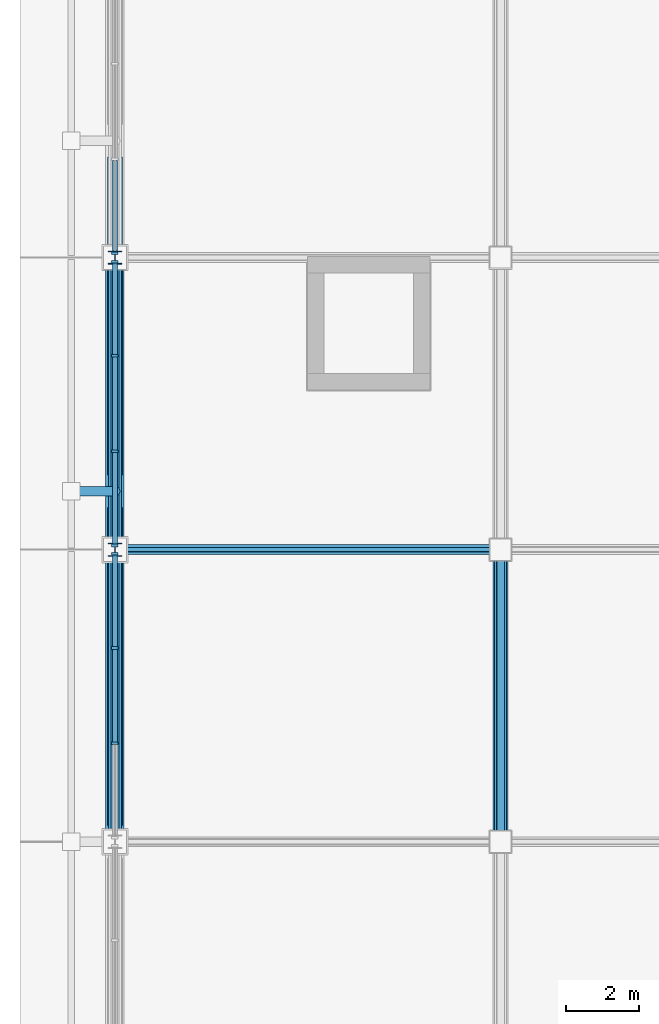
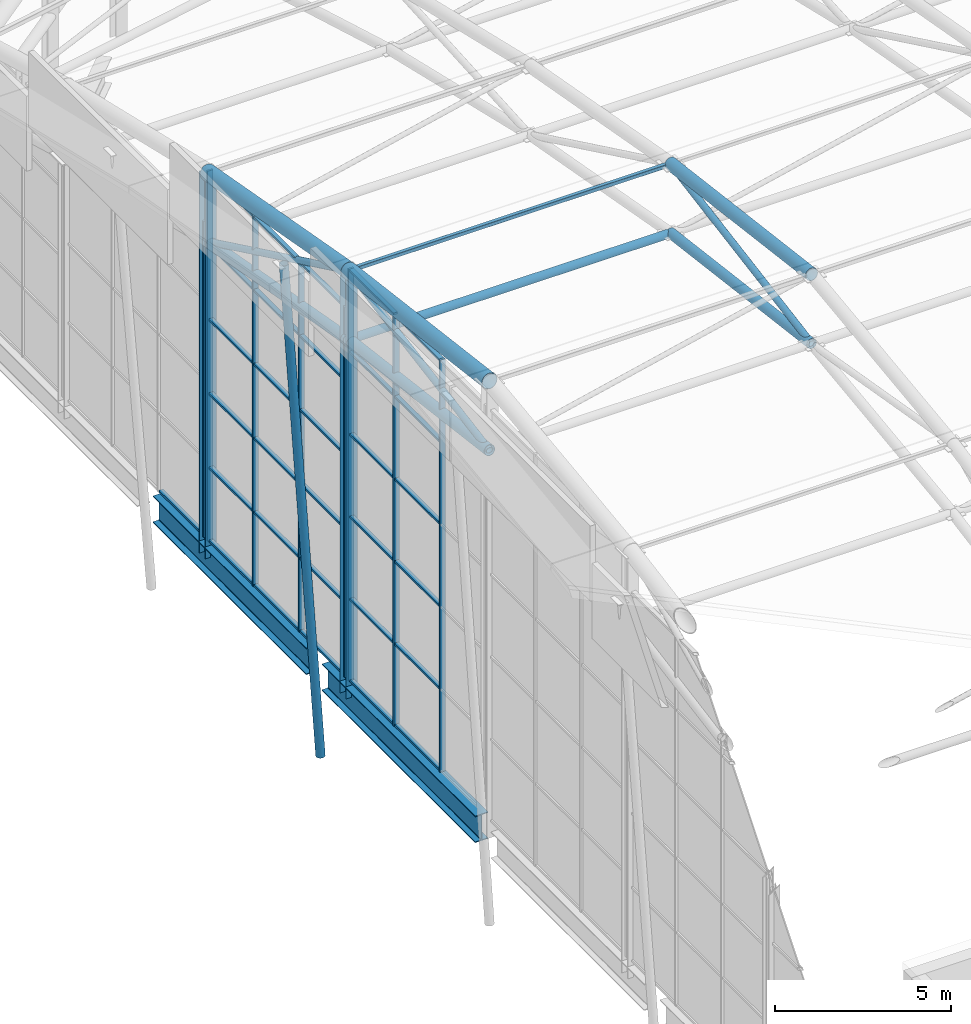
# One storey, part 16 of 42: 53 members, 2 beams, 3 elements without a shape of their own.
"""IFC4 building model written with IfcOpenShell, lengths in metres."""

from ifc_helpers import new_model, si_unit, direction, frame, origin, origin_2d, place, context, subcontext, project, spatial, rectangle, hollow_rectangle, hollow_circle, i_section, extrude, material, layer, layer_set, material_profile, profile_set, type_object, element, aggregate, save


model = new_model("IFC4")

# Units and contexts
model_context = context("Model", 3, precision=1e-05, world=origin(), true_north=direction((0.0, 1.0)))
body_context = subcontext(model_context, "Body", "Model", "MODEL_VIEW")
ifc_project = project(units=[si_unit("LENGTHUNIT", "METRE"), si_unit("AREAUNIT", "SQUARE_METRE"), si_unit("VOLUMEUNIT", "CUBIC_METRE"), si_unit("PLANEANGLEUNIT", "RADIAN"), si_unit("MASSUNIT", "GRAM", prefix="KILO")], contexts=[model_context])

# Site, building, storey
site_placement = place(None, origin())
site = spatial("IfcSite", under=ifc_project, at=site_placement, CompositionType="ELEMENT")
building_placement = place(site_placement, origin())
building = spatial("IfcBuilding", under=site, at=building_placement, Name="Caelomonte Colonnade Arena", CompositionType="ELEMENT")
storey_placement = place(building_placement, frame((0.0, 0.0, 28.199951171875)))
storey = spatial("IfcBuildingStorey", under=building, at=storey_placement, Name="RF", CompositionType="ELEMENT", Elevation=28.199951171875)

# Curtain wall, members
ifc_material_1 = material(Name="Bronze anodised aluminium and low-E glazing", Category="aluminium")
ifc_layer_1 = layer(ifc_material_1, 0.179931640625)
ifc_layer_set_1 = layer_set([ifc_layer_1], Name="Bronze anodised aluminium and low-E glazing")
curtain_wall_type_1 = type_object("IfcCurtainWallType", Name="ENV-CW-CW-TYMP-05", PredefinedType="USERDEFINED", material=ifc_layer_set_1)
curtain_wall_1_placement = place(storey_placement, origin())
curtain_wall_1 = element("IfcCurtainWall", 1, at=curtain_wall_1_placement, inside=storey, type_object=curtain_wall_type_1, Name="Barrel arch W clerestory tympanum curtain wall 5", ObjectType="UNITIZED CURTAIN WALL", PredefinedType="USERDEFINED")
ifc_material_2 = material(Name="Bronze anodised aluminium AA6063-T6", Category="aluminium")
ifc_material_profile_1 = material_profile(ifc_material_2, rectangle(XDim=0.070068359375, YDim=0.179931640625, at=origin_2d()), Name="CWM-70X180")
ifc_profile_set_1 = profile_set([ifc_material_profile_1], Name="Bronze anodised aluminium AA6063-T6")
member_type_1 = type_object("IfcMemberType", Name="ENV-CW-MULL1", PredefinedType="MULLION", material=ifc_profile_set_1)
member_1_placement = place(storey_placement, frame((57.60009765625, 75.0849609375, -0.14990234375), z_axis=(0.0, 0.0, 1.0), x_axis=(0.0, -1.0, 0.0)))
member_1 = element("IfcMember", 2, at=member_1_placement, type_object=member_type_1, Name="CW-TYMP-05 mullion 1", PredefinedType="MULLION", context=body_context, shape_type="SweptSolid", body=[
    extrude(rectangle(XDim=0.070068359375, YDim=0.179931640625, at=origin_2d()), origin(), (0.0, 0.0, 1.0), 14.284912109375),
])
member_2_placement = place(storey_placement, frame((57.60009765625, 72.506591796875, -0.14990234375), z_axis=(0.0, 0.0, 1.0), x_axis=(0.0, -1.0, 0.0)))
member_2 = element("IfcMember", 3, at=member_2_placement, type_object=member_type_1, Name="CW-TYMP-05 mullion 2", PredefinedType="MULLION", context=body_context, shape_type="SweptSolid", body=[
    extrude(rectangle(XDim=0.070068359375, YDim=0.179931640625, at=origin_2d()), origin(), (0.0, 0.0, 1.0), 14.284912109375),
])
member_3_placement = place(storey_placement, frame((57.60009765625, 69.893310546875, -0.14990234375), z_axis=(0.0, 0.0, 1.0), x_axis=(0.0, -1.0, 0.0)))
member_3 = element("IfcMember", 4, at=member_3_placement, type_object=member_type_1, Name="CW-TYMP-05 mullion 3", PredefinedType="MULLION", context=body_context, shape_type="SweptSolid", body=[
    extrude(rectangle(XDim=0.070068359375, YDim=0.179931640625, at=origin_2d()), origin(), (0.0, 0.0, 1.0), 14.284912109375),
])

ifc_layer_2 = layer(ifc_material_1, 0.179931640625)
ifc_layer_set_2 = layer_set([ifc_layer_2], Name="Bronze anodised aluminium and low-E glazing")
curtain_wall_type_2 = type_object("IfcCurtainWallType", Name="ENV-CW-CW-TYMP-06", PredefinedType="USERDEFINED", material=ifc_layer_set_2)
curtain_wall_2_placement = place(storey_placement, origin())
curtain_wall_2 = element("IfcCurtainWall", 5, at=curtain_wall_2_placement, inside=storey, type_object=curtain_wall_type_2, Name="Barrel arch W clerestory tympanum curtain wall 6", ObjectType="UNITIZED CURTAIN WALL", PredefinedType="USERDEFINED")
member_4_placement = place(storey_placement, frame((57.60009765625, 83.0849609375, -0.14990234375), z_axis=(0.0, 0.0, 1.0), x_axis=(0.0, -1.0, 0.0)))
member_4 = element("IfcMember", 6, at=member_4_placement, type_object=member_type_1, Name="CW-TYMP-06 mullion 1", PredefinedType="MULLION", context=body_context, shape_type="SweptSolid", body=[
    extrude(rectangle(XDim=0.070068359375, YDim=0.179931640625, at=origin_2d()), origin(), (0.0, 0.0, 1.0), 12.8359375),
])
member_5_placement = place(storey_placement, frame((57.60009765625, 80.506591796875, -0.14990234375), z_axis=(0.0, 0.0, 1.0), x_axis=(0.0, -1.0, 0.0)))
member_5 = element("IfcMember", 7, at=member_5_placement, type_object=member_type_1, Name="CW-TYMP-06 mullion 2", PredefinedType="MULLION", context=body_context, shape_type="SweptSolid", body=[
    extrude(rectangle(XDim=0.070068359375, YDim=0.179931640625, at=origin_2d()), origin(), (0.0, 0.0, 1.0), 12.8359375),
])
member_6_placement = place(storey_placement, frame((57.60009765625, 77.893310546875, -0.14990234375), z_axis=(0.0, 0.0, 1.0), x_axis=(0.0, -1.0, 0.0)))
member_6 = element("IfcMember", 8, at=member_6_placement, type_object=member_type_1, Name="CW-TYMP-06 mullion 3", PredefinedType="MULLION", context=body_context, shape_type="SweptSolid", body=[
    extrude(rectangle(XDim=0.070068359375, YDim=0.179931640625, at=origin_2d()), origin(), (0.0, 0.0, 1.0), 12.8359375),
])
member_7_placement = place(storey_placement, frame((57.60009765625, 75.31494140625, -0.14990234375), z_axis=(0.0, 0.0, 1.0), x_axis=(0.0, -1.0, 0.0)))
member_7 = element("IfcMember", 9, at=member_7_placement, type_object=member_type_1, Name="CW-TYMP-06 mullion 4", PredefinedType="MULLION", context=body_context, shape_type="SweptSolid", body=[
    extrude(rectangle(XDim=0.070068359375, YDim=0.179931640625, at=origin_2d()), origin(), (0.0, 0.0, 1.0), 12.8359375),
])

# Curtain wall, member
ifc_layer_3 = layer(ifc_material_1, 0.179931640625)
ifc_layer_set_3 = layer_set([ifc_layer_3], Name="Bronze anodised aluminium and low-E glazing")
curtain_wall_type_3 = type_object("IfcCurtainWallType", Name="ENV-CW-CW-TYMP-07", PredefinedType="USERDEFINED", material=ifc_layer_set_3)
curtain_wall_3_placement = place(storey_placement, origin())
curtain_wall_3 = element("IfcCurtainWall", 10, at=curtain_wall_3_placement, inside=storey, type_object=curtain_wall_type_3, Name="Barrel arch W clerestory tympanum curtain wall 7", ObjectType="UNITIZED CURTAIN WALL", PredefinedType="USERDEFINED")
member_8_placement = place(storey_placement, frame((57.60009765625, 83.31494140625, -0.14990234375), z_axis=(0.0, 0.0, 1.0), x_axis=(0.0, -1.0, 0.0)))
member_8 = element("IfcMember", 11, at=member_8_placement, type_object=member_type_1, Name="CW-TYMP-07 mullion 4", PredefinedType="MULLION", context=body_context, shape_type="SweptSolid", body=[
    extrude(rectangle(XDim=0.070068359375, YDim=0.179931640625, at=origin_2d()), origin(), (0.0, 0.0, 1.0), 10.952880859375),
])

# Member
ifc_material_profile_2 = material_profile(ifc_material_2, rectangle(XDim=0.070068359375, YDim=0.139892578125, at=origin_2d()), Name="CWT-70X140")
ifc_profile_set_2 = profile_set([ifc_material_profile_2], Name="Bronze anodised aluminium AA6063-T6")
member_type_2 = type_object("IfcMemberType", Name="ENV-CW-TRAN1", PredefinedType="USERDEFINED", material=ifc_profile_set_2)
member_9_placement = place(storey_placement, frame((57.60009765625, 75.050048828125, -0.114990234375), z_axis=(0.0, -1.0, 0.0), x_axis=(0.0, 0.0, 1.0)))
member_9 = element("IfcMember", 12, at=member_9_placement, type_object=member_type_2, Name="CW-TYMP-05 transom 1.1", ObjectType="TRANSOM", PredefinedType="USERDEFINED", context=body_context, shape_type="SweptSolid", body=[
    extrude(rectangle(XDim=0.070068359375, YDim=0.139892578125, at=origin_2d()), origin(), (0.0, 0.0, 1.0), 2.50830078125),
])

member_10_placement = place(storey_placement, frame((57.60009765625, 75.050048828125, 2.70703125), z_axis=(0.0, -1.0, 0.0), x_axis=(0.0, 0.0, 1.0)))
member_10 = element("IfcMember", 13, at=member_10_placement, type_object=member_type_2, Name="CW-TYMP-05 transom 1.2", ObjectType="TRANSOM", PredefinedType="USERDEFINED", context=body_context, shape_type="SweptSolid", body=[
    extrude(rectangle(XDim=0.070068359375, YDim=0.139892578125, at=origin_2d()), origin(), (0.0, 0.0, 1.0), 2.50830078125),
])

member_11_placement = place(storey_placement, frame((57.60009765625, 75.050048828125, 5.56396484375), z_axis=(0.0, -1.0, 0.0), x_axis=(0.0, 0.0, 1.0)))
member_11 = element("IfcMember", 14, at=member_11_placement, type_object=member_type_2, Name="CW-TYMP-05 transom 1.3", ObjectType="TRANSOM", PredefinedType="USERDEFINED", context=body_context, shape_type="SweptSolid", body=[
    extrude(rectangle(XDim=0.070068359375, YDim=0.139892578125, at=origin_2d()), origin(), (0.0, 0.0, 1.0), 2.50830078125),
])

member_12_placement = place(storey_placement, frame((57.60009765625, 75.050048828125, 8.421142578125), z_axis=(0.0, -1.0, 0.0), x_axis=(0.0, 0.0, 1.0)))
member_12 = element("IfcMember", 15, at=member_12_placement, type_object=member_type_2, Name="CW-TYMP-05 transom 1.4", ObjectType="TRANSOM", PredefinedType="USERDEFINED", context=body_context, shape_type="SweptSolid", body=[
    extrude(rectangle(XDim=0.070068359375, YDim=0.139892578125, at=origin_2d()), origin(), (0.0, 0.0, 1.0), 2.50830078125),
])

member_13_placement = place(storey_placement, frame((57.60009765625, 75.050048828125, 11.278076171875), z_axis=(0.0, -1.0, 0.0), x_axis=(0.0, 0.0, 1.0)))
member_13 = element("IfcMember", 16, at=member_13_placement, type_object=member_type_2, Name="CW-TYMP-05 transom 1.5", ObjectType="TRANSOM", PredefinedType="USERDEFINED", context=body_context, shape_type="SweptSolid", body=[
    extrude(rectangle(XDim=0.070068359375, YDim=0.139892578125, at=origin_2d()), origin(), (0.0, 0.0, 1.0), 2.50830078125),
])

member_14_placement = place(storey_placement, frame((57.60009765625, 75.050048828125, 14.10009765625), z_axis=(0.0, -1.0, 0.0), x_axis=(0.0, 0.0, 1.0)))
member_14 = element("IfcMember", 17, at=member_14_placement, type_object=member_type_2, Name="CW-TYMP-05 transom 1.6", ObjectType="TRANSOM", PredefinedType="USERDEFINED", context=body_context, shape_type="SweptSolid", body=[
    extrude(rectangle(XDim=0.070068359375, YDim=0.139892578125, at=origin_2d()), origin(), (0.0, 0.0, 1.0), 2.50830078125),
])

member_15_placement = place(storey_placement, frame((57.60009765625, 72.4716796875, -0.114990234375), z_axis=(0.0, -1.0, 0.0), x_axis=(0.0, 0.0, 1.0)))
member_15 = element("IfcMember", 18, at=member_15_placement, type_object=member_type_2, Name="CW-TYMP-05 transom 2.1", ObjectType="TRANSOM", PredefinedType="USERDEFINED", context=body_context, shape_type="SweptSolid", body=[
    extrude(rectangle(XDim=0.070068359375, YDim=0.139892578125, at=origin_2d()), origin(), (0.0, 0.0, 1.0), 2.54345703125),
])

member_16_placement = place(storey_placement, frame((57.60009765625, 72.4716796875, 2.70703125), z_axis=(0.0, -1.0, 0.0), x_axis=(0.0, 0.0, 1.0)))
member_16 = element("IfcMember", 19, at=member_16_placement, type_object=member_type_2, Name="CW-TYMP-05 transom 2.2", ObjectType="TRANSOM", PredefinedType="USERDEFINED", context=body_context, shape_type="SweptSolid", body=[
    extrude(rectangle(XDim=0.070068359375, YDim=0.139892578125, at=origin_2d()), origin(), (0.0, 0.0, 1.0), 2.54345703125),
])

member_17_placement = place(storey_placement, frame((57.60009765625, 72.4716796875, 5.56396484375), z_axis=(0.0, -1.0, 0.0), x_axis=(0.0, 0.0, 1.0)))
member_17 = element("IfcMember", 20, at=member_17_placement, type_object=member_type_2, Name="CW-TYMP-05 transom 2.3", ObjectType="TRANSOM", PredefinedType="USERDEFINED", context=body_context, shape_type="SweptSolid", body=[
    extrude(rectangle(XDim=0.070068359375, YDim=0.139892578125, at=origin_2d()), origin(), (0.0, 0.0, 1.0), 2.54345703125),
])

member_18_placement = place(storey_placement, frame((57.60009765625, 72.4716796875, 8.421142578125), z_axis=(0.0, -1.0, 0.0), x_axis=(0.0, 0.0, 1.0)))
member_18 = element("IfcMember", 21, at=member_18_placement, type_object=member_type_2, Name="CW-TYMP-05 transom 2.4", ObjectType="TRANSOM", PredefinedType="USERDEFINED", context=body_context, shape_type="SweptSolid", body=[
    extrude(rectangle(XDim=0.070068359375, YDim=0.139892578125, at=origin_2d()), origin(), (0.0, 0.0, 1.0), 2.54345703125),
])

member_19_placement = place(storey_placement, frame((57.60009765625, 72.4716796875, 11.278076171875), z_axis=(0.0, -1.0, 0.0), x_axis=(0.0, 0.0, 1.0)))
member_19 = element("IfcMember", 22, at=member_19_placement, type_object=member_type_2, Name="CW-TYMP-05 transom 2.5", ObjectType="TRANSOM", PredefinedType="USERDEFINED", context=body_context, shape_type="SweptSolid", body=[
    extrude(rectangle(XDim=0.070068359375, YDim=0.139892578125, at=origin_2d()), origin(), (0.0, 0.0, 1.0), 2.54345703125),
])

member_20_placement = place(storey_placement, frame((57.60009765625, 72.4716796875, 14.10009765625), z_axis=(0.0, -1.0, 0.0), x_axis=(0.0, 0.0, 1.0)))
member_20 = element("IfcMember", 23, at=member_20_placement, type_object=member_type_2, Name="CW-TYMP-05 transom 2.6", ObjectType="TRANSOM", PredefinedType="USERDEFINED", context=body_context, shape_type="SweptSolid", body=[
    extrude(rectangle(XDim=0.070068359375, YDim=0.139892578125, at=origin_2d()), origin(), (0.0, 0.0, 1.0), 2.54345703125),
])

aggregate(curtain_wall_1, [member_1, member_2, member_3, member_9, member_10, member_11, member_12, member_13, member_14, member_15, member_16, member_17, member_18, member_19, member_20])

member_21_placement = place(storey_placement, frame((57.60009765625, 83.050048828125, -0.114990234375), z_axis=(0.0, -1.0, 0.0), x_axis=(0.0, 0.0, 1.0)))
member_21 = element("IfcMember", 24, at=member_21_placement, type_object=member_type_2, Name="CW-TYMP-06 transom 1.1", ObjectType="TRANSOM", PredefinedType="USERDEFINED", context=body_context, shape_type="SweptSolid", body=[
    extrude(rectangle(XDim=0.070068359375, YDim=0.139892578125, at=origin_2d()), origin(), (0.0, 0.0, 1.0), 2.50830078125),
])

member_22_placement = place(storey_placement, frame((57.60009765625, 83.050048828125, 2.417236328125), z_axis=(0.0, -1.0, 0.0), x_axis=(0.0, 0.0, 1.0)))
member_22 = element("IfcMember", 25, at=member_22_placement, type_object=member_type_2, Name="CW-TYMP-06 transom 1.2", ObjectType="TRANSOM", PredefinedType="USERDEFINED", context=body_context, shape_type="SweptSolid", body=[
    extrude(rectangle(XDim=0.070068359375, YDim=0.139892578125, at=origin_2d()), origin(), (0.0, 0.0, 1.0), 2.50830078125),
])

member_23_placement = place(storey_placement, frame((57.60009765625, 83.050048828125, 4.984375), z_axis=(0.0, -1.0, 0.0), x_axis=(0.0, 0.0, 1.0)))
member_23 = element("IfcMember", 26, at=member_23_placement, type_object=member_type_2, Name="CW-TYMP-06 transom 1.3", ObjectType="TRANSOM", PredefinedType="USERDEFINED", context=body_context, shape_type="SweptSolid", body=[
    extrude(rectangle(XDim=0.070068359375, YDim=0.139892578125, at=origin_2d()), origin(), (0.0, 0.0, 1.0), 2.50830078125),
])

member_24_placement = place(storey_placement, frame((57.60009765625, 83.050048828125, 7.5517578125), z_axis=(0.0, -1.0, 0.0), x_axis=(0.0, 0.0, 1.0)))
member_24 = element("IfcMember", 27, at=member_24_placement, type_object=member_type_2, Name="CW-TYMP-06 transom 1.4", ObjectType="TRANSOM", PredefinedType="USERDEFINED", context=body_context, shape_type="SweptSolid", body=[
    extrude(rectangle(XDim=0.070068359375, YDim=0.139892578125, at=origin_2d()), origin(), (0.0, 0.0, 1.0), 2.50830078125),
])

member_25_placement = place(storey_placement, frame((57.60009765625, 83.050048828125, 10.118896484375), z_axis=(0.0, -1.0, 0.0), x_axis=(0.0, 0.0, 1.0)))
member_25 = element("IfcMember", 28, at=member_25_placement, type_object=member_type_2, Name="CW-TYMP-06 transom 1.5", ObjectType="TRANSOM", PredefinedType="USERDEFINED", context=body_context, shape_type="SweptSolid", body=[
    extrude(rectangle(XDim=0.070068359375, YDim=0.139892578125, at=origin_2d()), origin(), (0.0, 0.0, 1.0), 2.50830078125),
])

member_26_placement = place(storey_placement, frame((57.60009765625, 83.050048828125, 12.651123046875), z_axis=(0.0, -1.0, 0.0), x_axis=(0.0, 0.0, 1.0)))
member_26 = element("IfcMember", 29, at=member_26_placement, type_object=member_type_2, Name="CW-TYMP-06 transom 1.6", ObjectType="TRANSOM", PredefinedType="USERDEFINED", context=body_context, shape_type="SweptSolid", body=[
    extrude(rectangle(XDim=0.070068359375, YDim=0.139892578125, at=origin_2d()), origin(), (0.0, 0.0, 1.0), 2.50830078125),
])

member_27_placement = place(storey_placement, frame((57.60009765625, 80.4716796875, -0.114990234375), z_axis=(0.0, -1.0, 0.0), x_axis=(0.0, 0.0, 1.0)))
member_27 = element("IfcMember", 30, at=member_27_placement, type_object=member_type_2, Name="CW-TYMP-06 transom 2.1", ObjectType="TRANSOM", PredefinedType="USERDEFINED", context=body_context, shape_type="SweptSolid", body=[
    extrude(rectangle(XDim=0.070068359375, YDim=0.139892578125, at=origin_2d()), origin(), (0.0, 0.0, 1.0), 2.54345703125),
])

member_28_placement = place(storey_placement, frame((57.60009765625, 80.4716796875, 2.417236328125), z_axis=(0.0, -1.0, 0.0), x_axis=(0.0, 0.0, 1.0)))
member_28 = element("IfcMember", 31, at=member_28_placement, type_object=member_type_2, Name="CW-TYMP-06 transom 2.2", ObjectType="TRANSOM", PredefinedType="USERDEFINED", context=body_context, shape_type="SweptSolid", body=[
    extrude(rectangle(XDim=0.070068359375, YDim=0.139892578125, at=origin_2d()), origin(), (0.0, 0.0, 1.0), 2.54345703125),
])

member_29_placement = place(storey_placement, frame((57.60009765625, 80.4716796875, 4.984375), z_axis=(0.0, -1.0, 0.0), x_axis=(0.0, 0.0, 1.0)))
member_29 = element("IfcMember", 32, at=member_29_placement, type_object=member_type_2, Name="CW-TYMP-06 transom 2.3", ObjectType="TRANSOM", PredefinedType="USERDEFINED", context=body_context, shape_type="SweptSolid", body=[
    extrude(rectangle(XDim=0.070068359375, YDim=0.139892578125, at=origin_2d()), origin(), (0.0, 0.0, 1.0), 2.54345703125),
])

member_30_placement = place(storey_placement, frame((57.60009765625, 80.4716796875, 7.5517578125), z_axis=(0.0, -1.0, 0.0), x_axis=(0.0, 0.0, 1.0)))
member_30 = element("IfcMember", 33, at=member_30_placement, type_object=member_type_2, Name="CW-TYMP-06 transom 2.4", ObjectType="TRANSOM", PredefinedType="USERDEFINED", context=body_context, shape_type="SweptSolid", body=[
    extrude(rectangle(XDim=0.070068359375, YDim=0.139892578125, at=origin_2d()), origin(), (0.0, 0.0, 1.0), 2.54345703125),
])

member_31_placement = place(storey_placement, frame((57.60009765625, 80.4716796875, 10.118896484375), z_axis=(0.0, -1.0, 0.0), x_axis=(0.0, 0.0, 1.0)))
member_31 = element("IfcMember", 34, at=member_31_placement, type_object=member_type_2, Name="CW-TYMP-06 transom 2.5", ObjectType="TRANSOM", PredefinedType="USERDEFINED", context=body_context, shape_type="SweptSolid", body=[
    extrude(rectangle(XDim=0.070068359375, YDim=0.139892578125, at=origin_2d()), origin(), (0.0, 0.0, 1.0), 2.54345703125),
])

member_32_placement = place(storey_placement, frame((57.60009765625, 80.4716796875, 12.651123046875), z_axis=(0.0, -1.0, 0.0), x_axis=(0.0, 0.0, 1.0)))
member_32 = element("IfcMember", 35, at=member_32_placement, type_object=member_type_2, Name="CW-TYMP-06 transom 2.6", ObjectType="TRANSOM", PredefinedType="USERDEFINED", context=body_context, shape_type="SweptSolid", body=[
    extrude(rectangle(XDim=0.070068359375, YDim=0.139892578125, at=origin_2d()), origin(), (0.0, 0.0, 1.0), 2.54345703125),
])

member_33_placement = place(storey_placement, frame((57.60009765625, 77.8583984375, -0.114990234375), z_axis=(0.0, -1.0, 0.0), x_axis=(0.0, 0.0, 1.0)))
member_33 = element("IfcMember", 36, at=member_33_placement, type_object=member_type_2, Name="CW-TYMP-06 transom 3.1", ObjectType="TRANSOM", PredefinedType="USERDEFINED", context=body_context, shape_type="SweptSolid", body=[
    extrude(rectangle(XDim=0.070068359375, YDim=0.139892578125, at=origin_2d()), origin(), (0.0, 0.0, 1.0), 2.50830078125),
])

member_34_placement = place(storey_placement, frame((57.60009765625, 77.8583984375, 2.417236328125), z_axis=(0.0, -1.0, 0.0), x_axis=(0.0, 0.0, 1.0)))
member_34 = element("IfcMember", 37, at=member_34_placement, type_object=member_type_2, Name="CW-TYMP-06 transom 3.2", ObjectType="TRANSOM", PredefinedType="USERDEFINED", context=body_context, shape_type="SweptSolid", body=[
    extrude(rectangle(XDim=0.070068359375, YDim=0.139892578125, at=origin_2d()), origin(), (0.0, 0.0, 1.0), 2.50830078125),
])

member_35_placement = place(storey_placement, frame((57.60009765625, 77.8583984375, 4.984375), z_axis=(0.0, -1.0, 0.0), x_axis=(0.0, 0.0, 1.0)))
member_35 = element("IfcMember", 38, at=member_35_placement, type_object=member_type_2, Name="CW-TYMP-06 transom 3.3", ObjectType="TRANSOM", PredefinedType="USERDEFINED", context=body_context, shape_type="SweptSolid", body=[
    extrude(rectangle(XDim=0.070068359375, YDim=0.139892578125, at=origin_2d()), origin(), (0.0, 0.0, 1.0), 2.50830078125),
])

member_36_placement = place(storey_placement, frame((57.60009765625, 77.8583984375, 7.5517578125), z_axis=(0.0, -1.0, 0.0), x_axis=(0.0, 0.0, 1.0)))
member_36 = element("IfcMember", 39, at=member_36_placement, type_object=member_type_2, Name="CW-TYMP-06 transom 3.4", ObjectType="TRANSOM", PredefinedType="USERDEFINED", context=body_context, shape_type="SweptSolid", body=[
    extrude(rectangle(XDim=0.070068359375, YDim=0.139892578125, at=origin_2d()), origin(), (0.0, 0.0, 1.0), 2.50830078125),
])

member_37_placement = place(storey_placement, frame((57.60009765625, 77.8583984375, 10.118896484375), z_axis=(0.0, -1.0, 0.0), x_axis=(0.0, 0.0, 1.0)))
member_37 = element("IfcMember", 40, at=member_37_placement, type_object=member_type_2, Name="CW-TYMP-06 transom 3.5", ObjectType="TRANSOM", PredefinedType="USERDEFINED", context=body_context, shape_type="SweptSolid", body=[
    extrude(rectangle(XDim=0.070068359375, YDim=0.139892578125, at=origin_2d()), origin(), (0.0, 0.0, 1.0), 2.50830078125),
])

member_38_placement = place(storey_placement, frame((57.60009765625, 77.8583984375, 12.651123046875), z_axis=(0.0, -1.0, 0.0), x_axis=(0.0, 0.0, 1.0)))
member_38 = element("IfcMember", 41, at=member_38_placement, type_object=member_type_2, Name="CW-TYMP-06 transom 3.6", ObjectType="TRANSOM", PredefinedType="USERDEFINED", context=body_context, shape_type="SweptSolid", body=[
    extrude(rectangle(XDim=0.070068359375, YDim=0.139892578125, at=origin_2d()), origin(), (0.0, 0.0, 1.0), 2.50830078125),
])

aggregate(curtain_wall_2, [member_4, member_5, member_6, member_7, member_21, member_22, member_23, member_24, member_25, member_26, member_27, member_28, member_29, member_30, member_31, member_32, member_33, member_34, member_35, member_36, member_37, member_38])

member_39_placement = place(storey_placement, frame((57.60009765625, 85.8583984375, -0.114990234375), z_axis=(0.0, -1.0, 0.0), x_axis=(0.0, 0.0, 1.0)))
member_39 = element("IfcMember", 42, at=member_39_placement, type_object=member_type_2, Name="CW-TYMP-07 transom 3.1", ObjectType="TRANSOM", PredefinedType="USERDEFINED", context=body_context, shape_type="SweptSolid", body=[
    extrude(rectangle(XDim=0.070068359375, YDim=0.139892578125, at=origin_2d()), origin(), (0.0, 0.0, 1.0), 2.50830078125),
])

aggregate(curtain_wall_3, [member_8, member_39])

# Beams
ifc_material_3 = material(Name="Wide-flange steel ASTM A992 Grade 50", Category="steel")
ifc_material_profile_3 = material_profile(ifc_material_3, i_section(OverallWidth=0.418212890625, OverallDepth=0.927001953125, WebThickness=0.019287109375, FlangeThickness=0.031982421875, FilletRadius=0.024169921875, at=origin_2d()), Name="W36X231")
ifc_profile_set_3 = profile_set([ifc_material_profile_3], Name="Wide-flange steel ASTM A992 Grade 50")
beam_type = type_object("IfcBeamType", Name="STR-BM-EAVES1", PredefinedType="SPANDREL", material=ifc_profile_set_3)
beam_1_placement = place(storey_placement, frame((57.60009765625, 67.649169921875, -0.743408203125), z_axis=(0.0, 1.0, 0.0), x_axis=(-1.0, 0.0, 0.0)))
element("IfcBeam", 43, at=beam_1_placement, inside=storey, type_object=beam_type, Name="RF girder BMY-RF-0576-0672", PredefinedType="SPANDREL", context=body_context, shape_type="SweptSolid", body=[
    extrude(i_section(OverallWidth=0.418212890625, OverallDepth=0.927001953125, WebThickness=0.019287109375, FlangeThickness=0.031982421875, FilletRadius=0.024169921875, at=origin_2d()), origin(), (0.0, 0.0, 1.0), 8.70166015625),
])
beam_2_placement = place(storey_placement, frame((57.60009765625, 77.249267578125, -0.743408203125), z_axis=(0.0, 1.0, 0.0), x_axis=(-1.0, 0.0, 0.0)))
element("IfcBeam", 44, at=beam_2_placement, inside=storey, type_object=beam_type, Name="RF girder BMY-RF-0576-0768", PredefinedType="SPANDREL", context=body_context, shape_type="SweptSolid", body=[
    extrude(i_section(OverallWidth=0.418212890625, OverallDepth=0.927001953125, WebThickness=0.019287109375, FlangeThickness=0.031982421875, FilletRadius=0.024169921875, at=origin_2d()), origin(), (0.0, 0.0, 1.0), 8.701416015625),
])

# Members
ifc_material_profile_4 = material_profile(ifc_material_3, i_section(OverallWidth=0.368896484375, OverallDepth=0.356201171875, WebThickness=0.01123046875, FlangeThickness=0.01806640625, FilletRadius=0.01513671875, at=origin_2d()), Name="W14X90")
ifc_profile_set_4 = profile_set([ifc_material_profile_4], Name="Wide-flange steel ASTM A992 Grade 50")
member_type_3 = type_object("IfcMemberType", Name="STR-CAT-STR", PredefinedType="STRUT", material=ifc_profile_set_4)
member_40_placement = place(storey_placement, frame((57.60009765625, 75.199951171875, -0.699951171875), z_axis=(0.0, 0.0, 1.0), x_axis=(1.0, 0.0, 0.0)))
element("IfcMember", 45, at=member_40_placement, inside=storey, type_object=member_type_3, Name="Roof truss eaves bearing post 0-7", PredefinedType="STRUT", context=body_context, shape_type="SweptSolid", body=[
    extrude(i_section(OverallWidth=0.368896484375, OverallDepth=0.356201171875, WebThickness=0.01123046875, FlangeThickness=0.01806640625, FilletRadius=0.01513671875, at=origin_2d()), origin(), (0.0, 0.0, 1.0), 14.68505859375),
])
member_41_placement = place(storey_placement, frame((57.60009765625, 83.199951171875, -0.699951171875), z_axis=(0.0, 0.0, 1.0), x_axis=(1.0, 0.0, 0.0)))
element("IfcMember", 46, at=member_41_placement, inside=storey, type_object=member_type_3, Name="Roof truss eaves bearing post 0-8", PredefinedType="STRUT", context=body_context, shape_type="SweptSolid", body=[
    extrude(i_section(OverallWidth=0.368896484375, OverallDepth=0.356201171875, WebThickness=0.01123046875, FlangeThickness=0.01806640625, FilletRadius=0.01513671875, at=origin_2d()), origin(), (0.0, 0.0, 1.0), 13.236083984375),
])
ifc_material_4 = material(Name="Steel ASTM A500 Grade C", Category="steel")
ifc_material_profile_5 = material_profile(ifc_material_4, hollow_circle(Radius=0.177734375, WallThickness=0.0126953125, at=origin_2d()), Name="CHS355.6X12.7")
ifc_profile_set_5 = profile_set([ifc_material_profile_5], Name="Steel ASTM A500 Grade C")
member_type_4 = type_object("IfcMemberType", Name="STR-SF-BC1", PredefinedType="CHORD", material=ifc_profile_set_5)
member_42_placement = place(storey_placement, frame((57.60009765625, 67.201904296875, 12.599853515625), z_axis=(0.0, 0.992048803131, -0.125853773113), x_axis=(-1.0, 0.0, 0.0)))
element("IfcMember", 47, at=member_42_placement, inside=storey, type_object=member_type_4, Name="Arched roof truss bottom chord 0-6", PredefinedType="CHORD", context=body_context, shape_type="SweptSolid", body=[
    extrude(hollow_circle(Radius=0.177734375, WallThickness=0.0126953125, at=origin_2d()), origin(), (0.0, 0.0, 1.0), 8.060302734375),
])
member_43_placement = place(storey_placement, frame((57.60009765625, 75.201904296875, 11.584716796875), z_axis=(0.0, 0.983990820662, -0.178219148393), x_axis=(-1.0, 0.0, 0.0)))
element("IfcMember", 48, at=member_43_placement, inside=storey, type_object=member_type_4, Name="Arched roof truss bottom chord 0-7", PredefinedType="CHORD", context=body_context, shape_type="SweptSolid", body=[
    extrude(hollow_circle(Radius=0.177734375, WallThickness=0.0126953125, at=origin_2d()), origin(), (0.0, 0.0, 1.0), 8.126220703125),
])
ifc_material_profile_6 = material_profile(ifc_material_4, hollow_circle(Radius=0.161865234375, WallThickness=0.010009765625, at=origin_2d()), Name="CHS323.9X10.0")
ifc_profile_set_6 = profile_set([ifc_material_profile_6], Name="Steel ASTM A500 Grade C")
member_type_5 = type_object("IfcMemberType", Name="STR-SF-BC2", PredefinedType="CHORD", material=ifc_profile_set_6)
member_44_placement = place(storey_placement, frame((68.159912109375, 67.201904296875, 12.599853515625), z_axis=(0.0, 0.992048803131, -0.125853773113), x_axis=(-1.0, 0.0, 0.0)))
element("IfcMember", 49, at=member_44_placement, inside=storey, type_object=member_type_5, Name="Arched roof truss bottom chord 1-6", PredefinedType="CHORD", context=body_context, shape_type="SweptSolid", body=[
    extrude(hollow_circle(Radius=0.161865234375, WallThickness=0.010009765625, at=origin_2d()), origin(), (0.0, 0.0, 1.0), 8.060302734375),
])
ifc_material_profile_7 = material_profile(ifc_material_4, hollow_rectangle(XDim=0.126953125, YDim=0.126953125, WallThickness=0.00634765625, InnerFilletRadius=0.00634765625, OuterFilletRadius=0.0126953125, at=origin_2d()), Name="HSS127X127X6.4")
ifc_profile_set_7 = profile_set([ifc_material_profile_7], Name="Steel ASTM A500 Grade C")
member_type_6 = type_object("IfcMemberType", Name="STR-SF-PUR3", PredefinedType="PURLIN", material=ifc_profile_set_7)
member_45_placement = place(storey_placement, frame((57.60205078125, 75.199951171875, 13.985107421875), z_axis=(1.0, 0.0, 0.0), x_axis=(0.0, 1.0, 0.0)))
element("IfcMember", 50, at=member_45_placement, inside=storey, type_object=member_type_6, Name="Arched roof purlin 0-7", PredefinedType="PURLIN", context=body_context, shape_type="SweptSolid", body=[
    extrude(hollow_rectangle(XDim=0.126953125, YDim=0.126953125, WallThickness=0.00634765625, InnerFilletRadius=0.00634765625, OuterFilletRadius=0.0126953125, at=origin_2d()), origin(), (0.0, 0.0, 1.0), 10.555908203125),
])
ifc_material_profile_8 = material_profile(ifc_material_4, hollow_circle(Radius=0.25390625, WallThickness=0.015869140625, at=origin_2d()), Name="CHS508X15.9")
ifc_profile_set_8 = profile_set([ifc_material_profile_8], Name="Steel ASTM A500 Grade C")
member_type_7 = type_object("IfcMemberType", Name="STR-SF-TC1", PredefinedType="CHORD", material=ifc_profile_set_8)
member_46_placement = place(storey_placement, frame((57.60009765625, 67.201904296875, 14.999755859375), z_axis=(0.0, 0.992048803131, -0.125853773113), x_axis=(-1.0, 0.0, 0.0)))
element("IfcMember", 51, at=member_46_placement, inside=storey, type_object=member_type_7, Name="Arched roof truss top chord 0-6", PredefinedType="CHORD", context=body_context, shape_type="SweptSolid", body=[
    extrude(hollow_circle(Radius=0.25390625, WallThickness=0.015869140625, at=origin_2d()), origin(), (0.0, 0.0, 1.0), 8.060302734375),
])
member_47_placement = place(storey_placement, frame((57.60009765625, 75.201904296875, 13.984619140625), z_axis=(0.0, 0.983990820662, -0.178219148393), x_axis=(-1.0, 0.0, 0.0)))
element("IfcMember", 52, at=member_47_placement, inside=storey, type_object=member_type_7, Name="Arched roof truss top chord 0-7", PredefinedType="CHORD", context=body_context, shape_type="SweptSolid", body=[
    extrude(hollow_circle(Radius=0.25390625, WallThickness=0.015869140625, at=origin_2d()), origin(), (0.0, 0.0, 1.0), 8.126220703125),
])
ifc_material_profile_9 = material_profile(ifc_material_4, hollow_circle(Radius=0.203125, WallThickness=0.0126953125, at=origin_2d()), Name="CHS406.4X12.7")
ifc_profile_set_9 = profile_set([ifc_material_profile_9], Name="Steel ASTM A500 Grade C")
member_type_8 = type_object("IfcMemberType", Name="STR-SF-TC2", PredefinedType="CHORD", material=ifc_profile_set_9)
member_48_placement = place(storey_placement, frame((68.159912109375, 67.201904296875, 14.999755859375), z_axis=(0.0, 0.992048803131, -0.125853773113), x_axis=(-1.0, 0.0, 0.0)))
element("IfcMember", 53, at=member_48_placement, inside=storey, type_object=member_type_8, Name="Arched roof truss top chord 1-6", PredefinedType="CHORD", context=body_context, shape_type="SweptSolid", body=[
    extrude(hollow_circle(Radius=0.203125, WallThickness=0.0126953125, at=origin_2d()), origin(), (0.0, 0.0, 1.0), 8.060302734375),
])
ifc_material_profile_10 = material_profile(ifc_material_4, hollow_circle(Radius=0.136474609375, WallThickness=0.00927734375, at=origin_2d()), Name="CHS273.0X9.3")
ifc_profile_set_10 = profile_set([ifc_material_profile_10], Name="Steel ASTM A500 Grade C")
member_type_9 = type_object("IfcMemberType", Name="STR-SF-TIE", PredefinedType="STRUT", material=ifc_profile_set_10)
member_49_placement = place(storey_placement, frame((57.60205078125, 75.199951171875, 11.5849609375), z_axis=(1.0, 0.0, 0.0), x_axis=(0.0, 1.0, 0.0)))
element("IfcMember", 54, at=member_49_placement, inside=storey, type_object=member_type_9, Name="Space frame roof tie strut 0-7", PredefinedType="STRUT", context=body_context, shape_type="SweptSolid", body=[
    extrude(hollow_circle(Radius=0.136474609375, WallThickness=0.00927734375, at=origin_2d()), origin(), (0.0, 0.0, 1.0), 10.555908203125),
])
member_50_placement = place(storey_placement, frame((57.599853515625, 76.800048828125, -3.7978515625), z_axis=(-0.068488307381, 0.0, 0.997651919134), x_axis=(0.0, -1.0, 0.0)))
element("IfcMember", 55, at=member_50_placement, inside=storey, type_object=member_type_9, Name="Roof eaves overhang inclined strut 7", PredefinedType="STRUT", context=body_context, shape_type="SweptSolid", body=[
    extrude(hollow_circle(Radius=0.136474609375, WallThickness=0.00927734375, at=origin_2d()), origin(), (0.0, 0.0, 1.0), 17.516845703125),
])
ifc_material_profile_11 = material_profile(ifc_material_4, hollow_circle(Radius=0.109619140625, WallThickness=0.00830078125, at=origin_2d()), Name="CHS219.1X8.2")
ifc_profile_set_11 = profile_set([ifc_material_profile_11], Name="Steel ASTM A500 Grade C")
member_type_10 = type_object("IfcMemberType", Name="STR-SF-WEB1", PredefinedType="BRACE", material=ifc_profile_set_11)
member_51_placement = place(storey_placement, frame((57.60009765625, 67.201904296875, 12.600341796875), z_axis=(0.0, 0.985338447855, 0.1706110875), x_axis=(-1.0, 0.0, 0.0)))
element("IfcMember", 56, at=member_51_placement, inside=storey, type_object=member_type_10, Name="Space frame roof truss web diagonal 0-6", PredefinedType="BRACE", context=body_context, shape_type="SweptSolid", body=[
    extrude(hollow_circle(Radius=0.109619140625, WallThickness=0.00830078125, at=origin_2d()), origin(), (0.0, 0.0, 1.0), 8.114990234375),
])
member_52_placement = place(storey_placement, frame((57.60009765625, 75.201904296875, 13.984130859375), z_axis=(0.0, 0.901130279028, -0.433548405854), x_axis=(-1.0, 0.0, 0.0)))
element("IfcMember", 57, at=member_52_placement, inside=storey, type_object=member_type_10, Name="Space frame roof truss web diagonal 0-7", PredefinedType="BRACE", context=body_context, shape_type="SweptSolid", body=[
    extrude(hollow_circle(Radius=0.109619140625, WallThickness=0.00830078125, at=origin_2d()), origin(), (0.0, 0.0, 1.0), 8.873779296875),
])
member_53_placement = place(storey_placement, frame((68.159912109375, 67.201904296875, 12.600341796875), z_axis=(0.0, 0.985338447855, 0.1706110875), x_axis=(-1.0, 0.0, 0.0)))
element("IfcMember", 58, at=member_53_placement, inside=storey, type_object=member_type_10, Name="Space frame roof truss web diagonal 1-6", PredefinedType="BRACE", context=body_context, shape_type="SweptSolid", body=[
    extrude(hollow_circle(Radius=0.109619140625, WallThickness=0.00830078125, at=origin_2d()), origin(), (0.0, 0.0, 1.0), 8.114990234375),
])

save(model, "model.ifc")
